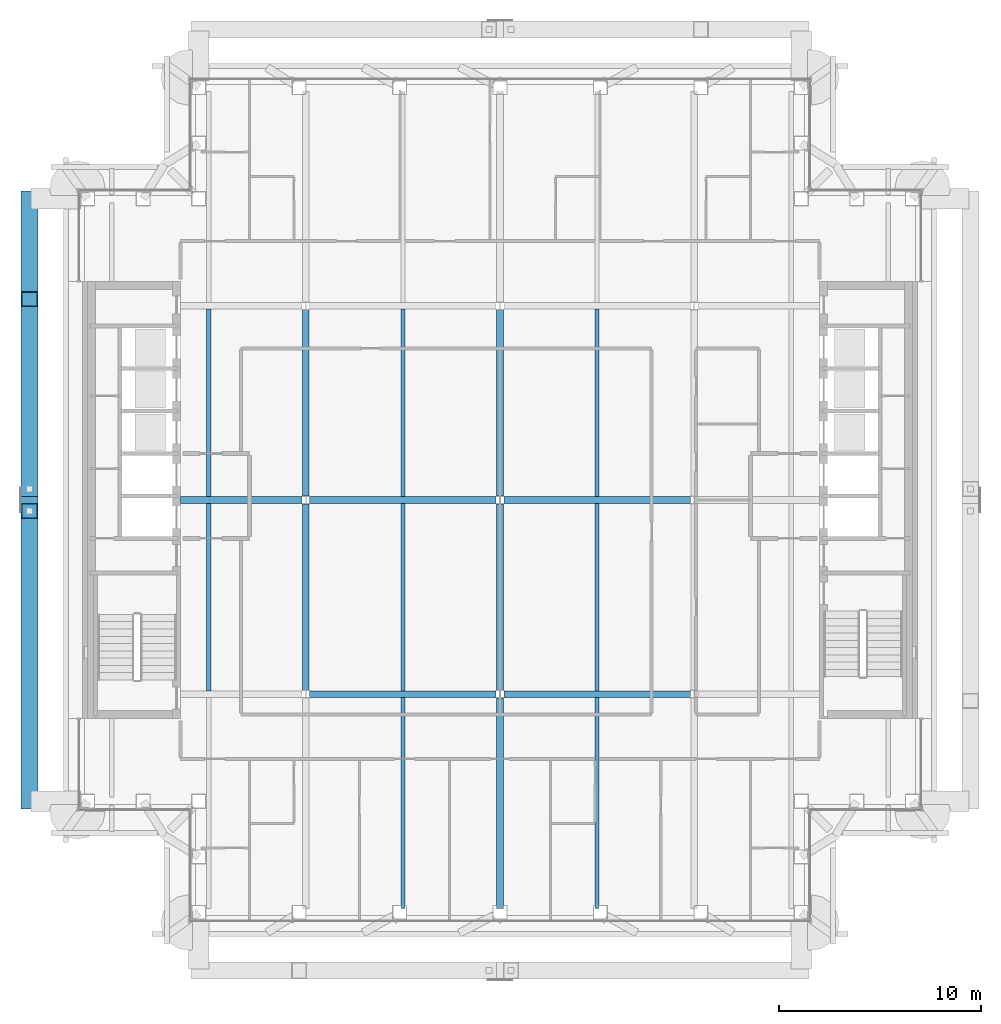
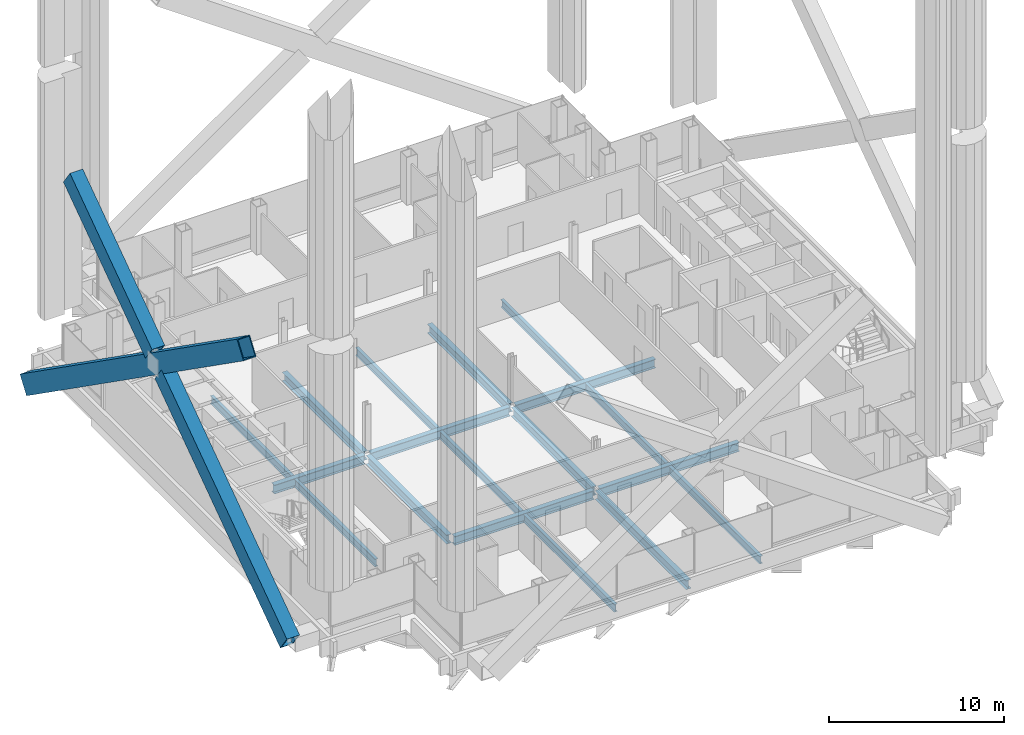
# One storey, part 5 of 22: 18 beams, 3 members.
"""IFC4 building model written with IfcOpenShell, lengths in metres."""

from ifc_helpers import new_model, si_unit, direction, frame, origin, origin_2d, place, context, subcontext, project, spatial, hollow_rectangle, i_section, extrude, material, material_profile, profile_set, type_object, element, save


model = new_model("IFC4")

# Units and contexts
model_context = context("Model", 3, precision=1e-05, world=origin(), true_north=direction((0.0, 1.0)))
body_context = subcontext(model_context, "Body", "Model", "MODEL_VIEW")
ifc_project = project(units=[si_unit("LENGTHUNIT", "METRE"), si_unit("AREAUNIT", "SQUARE_METRE"), si_unit("VOLUMEUNIT", "CUBIC_METRE"), si_unit("PLANEANGLEUNIT", "RADIAN"), si_unit("MASSUNIT", "GRAM", prefix="KILO")], contexts=[model_context])

# Site, building, storey
site_placement = place(None, origin())
site = spatial("IfcSite", under=ifc_project, at=site_placement, CompositionType="ELEMENT")
building_placement = place(site_placement, origin())
building = spatial("IfcBuilding", under=site, at=building_placement, Name="Cobrizo Arcos Hotel Tower", CompositionType="ELEMENT")
storey_placement = place(building_placement, frame((0.0, 0.0, 191.0)))
storey = spatial("IfcBuildingStorey", under=building, at=storey_placement, Name="L49", CompositionType="ELEMENT", Elevation=191.0)

# Members
ifc_material_1 = material(Name="Steel ASTM A572 Grade 50", Category="steel")
ifc_material_profile_1 = material_profile(ifc_material_1, hollow_rectangle(XDim=0.85009765625, YDim=1.300048828125, WallThickness=0.06005859375, at=origin_2d()), Name="BOX 850X1300X60")
ifc_profile_set_1 = profile_set([ifc_material_profile_1], Name="Steel ASTM A572 Grade 50")
member_type = type_object("IfcMemberType", Name="BOX 850X1300X60 perimeter brace", PredefinedType="BRACE", material=ifc_profile_set_1)
member_1_placement = place(storey_placement, frame((-23.27490234375, 14.89990234375, 0.5), z_axis=(0.0, -0.81742283515, 0.576038113821), x_axis=(1.0, 0.0, 0.0)))
element("IfcMember", 1, at=member_1_placement, inside=storey, type_object=member_type, Name="Perimeter brace PBR4, zone Z4, west face, no. 00", PredefinedType="BRACE", context=body_context, shape_type="SweptSolid", body=[
    extrude(hollow_rectangle(XDim=0.85009765625, YDim=1.300048828125, WallThickness=0.06005859375, at=origin_2d()), origin(), (0.0, 0.0, 1.0), 30.3798828125),
])
member_2_placement = place(storey_placement, frame((-23.27490234375, -14.89990234375, 0.5), z_axis=(0.0, 0.817421308529, 0.576040280157), x_axis=(-1.0, 0.0, 0.0)))
element("IfcMember", 2, at=member_2_placement, inside=storey, type_object=member_type, Name="Perimeter brace PBR4, zone Z4, west face, no. 01", PredefinedType="BRACE", context=body_context, shape_type="SweptSolid", body=[
    extrude(hollow_rectangle(XDim=0.85009765625, YDim=1.300048828125, WallThickness=0.06005859375, at=origin_2d()), origin(), (0.0, 0.0, 1.0), 17.567626953125),
])
member_3_placement = place(storey_placement, frame((-23.27490234375, 0.539794921875, 11.38037109375), z_axis=(0.0, 0.817423321181, 0.576037424122), x_axis=(-1.0, 0.0, 0.0)))
element("IfcMember", 3, at=member_3_placement, inside=storey, type_object=member_type, Name="Perimeter brace PBR4, zone Z4, west face, no. 01b", PredefinedType="BRACE", context=body_context, shape_type="SweptSolid", body=[
    extrude(hollow_rectangle(XDim=0.85009765625, YDim=1.300048828125, WallThickness=0.06005859375, at=origin_2d()), origin(), (0.0, 0.0, 1.0), 11.49169921875),
])

# Beams
ifc_material_2 = material(Name="Steel ASTM A992 Grade 50", Category="steel")
ifc_material_profile_2 = material_profile(ifc_material_2, i_section(OverallWidth=0.209228515625, OverallDepth=0.533447265625, WebThickness=0.01025390625, FlangeThickness=0.015625, at=origin_2d()), Name="W21X62")
ifc_profile_set_2 = profile_set([ifc_material_profile_2], Name="Steel ASTM A992 Grade 50")
beam_type_1 = type_object("IfcBeamType", Name="W21X62 joist", PredefinedType="JOIST", material=ifc_profile_set_2)
for number, where, z_axis, x_axis, name in (
    (4, (-14.39990234375, -9.43603515625, -0.416748046875), (0.0, 1.0, 0.0), (-1.0, 0.0, 0.0), "Floor joist J1, L49, no. 006"),
    (5, (-14.39990234375, 0.163818359375, -0.416748046875), (0.0, 1.0, 0.0), (-1.0, 0.0, 0.0), "Floor joist J1, L49, no. 007"),
):
    element("IfcBeam", number, at=place(storey_placement, frame(where, z_axis=z_axis, x_axis=x_axis)), inside=storey, type_object=beam_type_1, Name=name, PredefinedType="JOIST", context=body_context, shape_type="SweptSolid", body=[
        extrude(i_section(OverallWidth=0.209228515625, OverallDepth=0.533447265625, WebThickness=0.01025390625, FlangeThickness=0.015625, at=origin_2d()), origin(), (0.0, 0.0, 1.0), 9.272216796875),
    ])
beam_1_placement = place(storey_placement, frame((-4.800048828125, -20.199462890625, -0.416748046875), z_axis=(0.0, 1.0, 0.0), x_axis=(-1.0, 0.0, 0.0)))
element("IfcBeam", 6, at=beam_1_placement, inside=storey, type_object=beam_type_1, Name="Floor joist J1, L49, no. 009", PredefinedType="JOIST", context=body_context, shape_type="SweptSolid", body=[
    extrude(i_section(OverallWidth=0.209228515625, OverallDepth=0.533447265625, WebThickness=0.01025390625, FlangeThickness=0.015625, at=origin_2d()), origin(), (0.0, 0.0, 1.0), 10.435546875),
])
for number, where, z_axis, x_axis, name in (
    (7, (-4.800048828125, -9.43603515625, -0.416748046875), (0.0, 1.0, 0.0), (-1.0, 0.0, 0.0), "Floor joist J1, L49, no. 010"),
    (8, (-4.800048828125, 0.163818359375, -0.416748046875), (0.0, 1.0, 0.0), (-1.0, 0.0, 0.0), "Floor joist J1, L49, no. 011"),
):
    element("IfcBeam", number, at=place(storey_placement, frame(where, z_axis=z_axis, x_axis=x_axis)), inside=storey, type_object=beam_type_1, Name=name, PredefinedType="JOIST", context=body_context, shape_type="SweptSolid", body=[
        extrude(i_section(OverallWidth=0.209228515625, OverallDepth=0.533447265625, WebThickness=0.01025390625, FlangeThickness=0.015625, at=origin_2d()), origin(), (0.0, 0.0, 1.0), 9.272216796875),
    ])
beam_2_placement = place(storey_placement, frame((4.800048828125, -20.199462890625, -0.416748046875), z_axis=(0.0, 1.0, 0.0), x_axis=(-1.0, 0.0, 0.0)))
element("IfcBeam", 9, at=beam_2_placement, inside=storey, type_object=beam_type_1, Name="Floor joist J1, L49, no. 013", PredefinedType="JOIST", context=body_context, shape_type="SweptSolid", body=[
    extrude(i_section(OverallWidth=0.209228515625, OverallDepth=0.533447265625, WebThickness=0.01025390625, FlangeThickness=0.015625, at=origin_2d()), origin(), (0.0, 0.0, 1.0), 10.435546875),
])
for number, where, z_axis, x_axis, name in (
    (10, (4.800048828125, -9.43603515625, -0.416748046875), (0.0, 1.0, 0.0), (-1.0, 0.0, 0.0), "Floor joist J1, L49, no. 014"),
    (11, (4.800048828125, 0.163818359375, -0.416748046875), (0.0, 1.0, 0.0), (-1.0, 0.0, 0.0), "Floor joist J1, L49, no. 015"),
):
    element("IfcBeam", number, at=place(storey_placement, frame(where, z_axis=z_axis, x_axis=x_axis)), inside=storey, type_object=beam_type_1, Name=name, PredefinedType="JOIST", context=body_context, shape_type="SweptSolid", body=[
        extrude(i_section(OverallWidth=0.209228515625, OverallDepth=0.533447265625, WebThickness=0.01025390625, FlangeThickness=0.015625, at=origin_2d()), origin(), (0.0, 0.0, 1.0), 9.272216796875),
    ])
ifc_material_profile_3 = material_profile(ifc_material_2, i_section(OverallWidth=0.32763671875, OverallDepth=0.622314453125, WebThickness=0.015380859375, FlangeThickness=0.0244140625, at=origin_2d()), Name="W24X131")
ifc_profile_set_3 = profile_set([ifc_material_profile_3], Name="Steel ASTM A992 Grade 50")
beam_type_2 = type_object("IfcBeamType", Name="W24X131 girder", PredefinedType="BEAM", material=ifc_profile_set_3)
for number, where, z_axis, x_axis, name in (
    (12, (-9.413330078125, -9.60009765625, -0.461181640625), (1.0, 0.0, 0.0), (0.0, 1.0, 0.0), "Floor girder G1, L49, no. 002"),
    (13, (0.186767578125, -9.60009765625, -0.461181640625), (1.0, 0.0, 0.0), (0.0, 1.0, 0.0), "Floor girder G1, L49, no. 003"),
):
    element("IfcBeam", number, at=place(storey_placement, frame(where, z_axis=z_axis, x_axis=x_axis)), inside=storey, type_object=beam_type_2, Name=name, PredefinedType="BEAM", context=body_context, shape_type="SweptSolid", body=[
        extrude(i_section(OverallWidth=0.32763671875, OverallDepth=0.622314453125, WebThickness=0.015380859375, FlangeThickness=0.0244140625, at=origin_2d()), origin(), (0.0, 0.0, 1.0), 9.2265625),
    ])
beam_3_placement = place(storey_placement, frame((-15.7900390625, 0.0, -0.461181640625), z_axis=(1.0, 0.0, 0.0), x_axis=(0.0, 1.0, 0.0)))
element("IfcBeam", 14, at=beam_3_placement, inside=storey, type_object=beam_type_2, Name="Floor girder G1, L49, no. 005", PredefinedType="BEAM", context=body_context, shape_type="SweptSolid", body=[
    extrude(i_section(OverallWidth=0.32763671875, OverallDepth=0.622314453125, WebThickness=0.015380859375, FlangeThickness=0.0244140625, at=origin_2d()), origin(), (0.0, 0.0, 1.0), 6.00341796875),
])
for number, where, z_axis, x_axis, name in (
    (15, (-9.413330078125, 0.0, -0.461181640625), (1.0, 0.0, 0.0), (0.0, 1.0, 0.0), "Floor girder G1, L49, no. 006"),
    (16, (0.186767578125, 0.0, -0.461181640625), (1.0, 0.0, 0.0), (0.0, 1.0, 0.0), "Floor girder G1, L49, no. 007"),
    (17, (-9.60009765625, -9.413330078125, -0.461181640625), (0.0, 1.0, 0.0), (-1.0, 0.0, 0.0), "Floor girder G1, L49, no. 014"),
    (18, (-9.60009765625, 0.186767578125, -0.461181640625), (0.0, 1.0, 0.0), (-1.0, 0.0, 0.0), "Floor girder G1, L49, no. 015"),
):
    element("IfcBeam", number, at=place(storey_placement, frame(where, z_axis=z_axis, x_axis=x_axis)), inside=storey, type_object=beam_type_2, Name=name, PredefinedType="BEAM", context=body_context, shape_type="SweptSolid", body=[
        extrude(i_section(OverallWidth=0.32763671875, OverallDepth=0.622314453125, WebThickness=0.015380859375, FlangeThickness=0.0244140625, at=origin_2d()), origin(), (0.0, 0.0, 1.0), 9.2265625),
    ])
beam_4_placement = place(storey_placement, frame((0.0, -20.199462890625, -0.461181640625), z_axis=(0.0, 1.0, 0.0), x_axis=(-1.0, 0.0, 0.0)))
element("IfcBeam", 19, at=beam_4_placement, inside=storey, type_object=beam_type_2, Name="Floor girder G1, L49, no. 017", PredefinedType="BEAM", context=body_context, shape_type="SweptSolid", body=[
    extrude(i_section(OverallWidth=0.32763671875, OverallDepth=0.622314453125, WebThickness=0.015380859375, FlangeThickness=0.0244140625, at=origin_2d()), origin(), (0.0, 0.0, 1.0), 10.412841796875),
])
for number, where, z_axis, x_axis, name in (
    (20, (0.0, -9.413330078125, -0.461181640625), (0.0, 1.0, 0.0), (-1.0, 0.0, 0.0), "Floor girder G1, L49, no. 018"),
    (21, (0.0, 0.186767578125, -0.461181640625), (0.0, 1.0, 0.0), (-1.0, 0.0, 0.0), "Floor girder G1, L49, no. 019"),
):
    element("IfcBeam", number, at=place(storey_placement, frame(where, z_axis=z_axis, x_axis=x_axis)), inside=storey, type_object=beam_type_2, Name=name, PredefinedType="BEAM", context=body_context, shape_type="SweptSolid", body=[
        extrude(i_section(OverallWidth=0.32763671875, OverallDepth=0.622314453125, WebThickness=0.015380859375, FlangeThickness=0.0244140625, at=origin_2d()), origin(), (0.0, 0.0, 1.0), 9.2265625),
    ])

save(model, "model.ifc")
